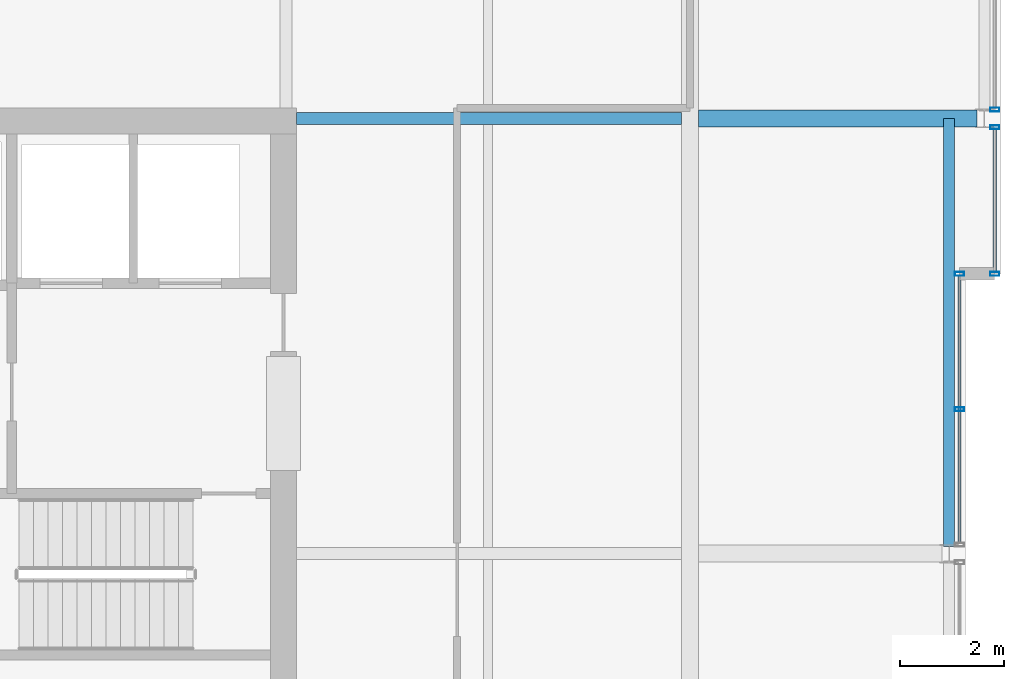
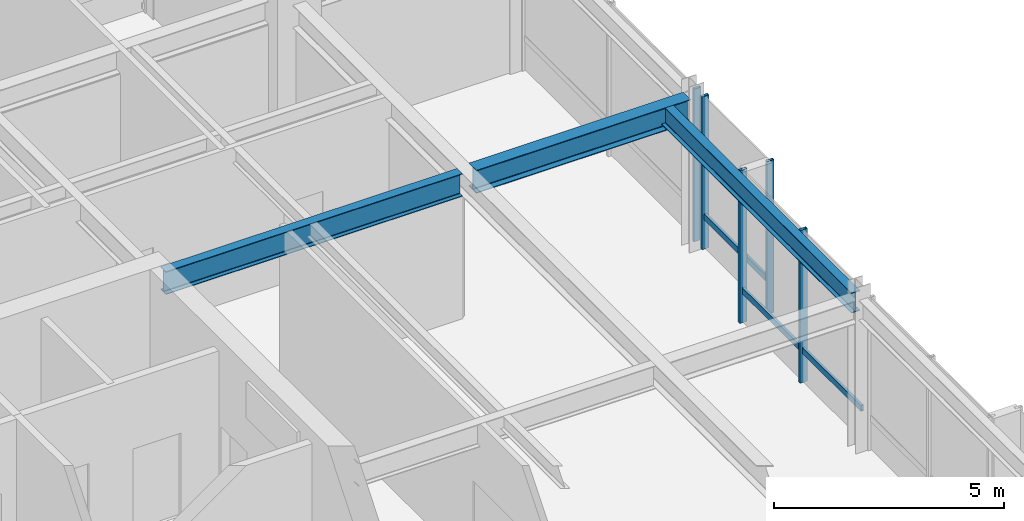
# One storey, part 20 of 33: 7 members, 3 beams, 3 elements without a shape of their own.
"""IFC4 building model written with IfcOpenShell, lengths in metres."""

from ifc_helpers import new_model, si_unit, direction, frame, origin, origin_2d, place, context, subcontext, project, spatial, hollow_rectangle, i_section, extrude, material, layer, layer_set, material_profile, profile_set, type_object, element, aggregate, save


model = new_model("IFC4")

# Units and contexts
model_context = context("Model", 3, precision=1e-05, world=origin(), true_north=direction((0.0, 1.0)))
body_context = subcontext(model_context, "Body", "Model", "MODEL_VIEW")
ifc_project = project(units=[si_unit("LENGTHUNIT", "METRE"), si_unit("AREAUNIT", "SQUARE_METRE"), si_unit("VOLUMEUNIT", "CUBIC_METRE"), si_unit("PLANEANGLEUNIT", "RADIAN"), si_unit("MASSUNIT", "GRAM", prefix="KILO")], contexts=[model_context])

# Site, building, storey
site_placement = place(None, origin())
site = spatial("IfcSite", under=ifc_project, at=site_placement, CompositionType="ELEMENT")
building_placement = place(site_placement, origin())
building = spatial("IfcBuilding", under=site, at=building_placement, Name="Drelvath Grand Hotel", CompositionType="ELEMENT")
storey_placement = place(building_placement, frame((0.0, 0.0, 298.60009765625)))
storey = spatial("IfcBuildingStorey", under=building, at=storey_placement, Name="L78", CompositionType="ELEMENT", Elevation=298.60009765625)

# Curtain wall, member
ifc_material_1 = material(Name="Platinum-Mist Anodised Aluminium Frame", Category="aluminium")
ifc_layer = layer(ifc_material_1, 0.199951171875)
ifc_layer_set = layer_set([ifc_layer], Name="Platinum-Mist Anodised Aluminium Frame")
curtain_wall_type = type_object("IfcCurtainWallType", Name="Stick Curtain Wall CW-05 Platinum Mist High-Rise", PredefinedType="NOTDEFINED", material=ifc_layer_set)
curtain_wall_1_placement = place(storey_placement, origin())
curtain_wall_1 = element("IfcCurtainWall", 1, at=curtain_wall_1_placement, inside=storey, type_object=curtain_wall_type, Name="L78 CW-05 Curtain Wall CW05-L78-EN1", PredefinedType="NOTDEFINED")
ifc_material_profile_1 = material_profile(ifc_material_1, hollow_rectangle(XDim=0.06494140625, YDim=0.159912109375, WallThickness=0.00390625, at=origin_2d()), Name="HSS160X65X4")
ifc_profile_set_1 = profile_set([ifc_material_profile_1], Name="Platinum-Mist Anodised Aluminium Frame")
member_type_1 = type_object("IfcMemberType", Name="Curtain Wall Horizontal Transom CW-05 HSS160X65X4", PredefinedType="USERDEFINED", material=ifc_profile_set_1)
member_1_placement = place(storey_placement, frame((22.080078125, 35.18994140625, 0.849853515625), z_axis=(0.0, -1.0, 0.0), x_axis=(1.0, 0.0, 0.0)))
member_1 = element("IfcMember", 2, at=member_1_placement, type_object=member_type_1, Name="CW05-L78-EN1 Sill Transom", ObjectType="TRANSOM", PredefinedType="USERDEFINED", context=body_context, shape_type="SweptSolid", body=[
    extrude(hollow_rectangle(XDim=0.06494140625, YDim=0.159912109375, WallThickness=0.00390625, at=origin_2d()), origin(), (0.0, 0.0, 1.0), 2.75),
])

curtain_wall_2_placement = place(storey_placement, origin())
curtain_wall_2 = element("IfcCurtainWall", 3, at=curtain_wall_2_placement, inside=storey, type_object=curtain_wall_type, Name="L78 CW-05 Curtain Wall CW05-L78-EM2", PredefinedType="NOTDEFINED")
member_2_placement = place(storey_placement, frame((21.39990234375, 32.360107421875, 0.849853515625), z_axis=(0.0, -1.0, 0.0), x_axis=(1.0, 0.0, 0.0)))
member_2 = element("IfcMember", 4, at=member_2_placement, type_object=member_type_1, Name="CW05-L78-EM2 Sill Transom", ObjectType="TRANSOM", PredefinedType="USERDEFINED", context=body_context, shape_type="SweptSolid", body=[
    extrude(hollow_rectangle(XDim=0.06494140625, YDim=0.159912109375, WallThickness=0.00390625, at=origin_2d()), origin(), (0.0, 0.0, 1.0), 5.150146484375),
])

# Member
ifc_material_profile_2 = material_profile(ifc_material_1, hollow_rectangle(XDim=0.074951171875, YDim=0.179931640625, WallThickness=0.0048828125, at=origin_2d()), Name="HSS180X75X5")
ifc_profile_set_2 = profile_set([ifc_material_profile_2], Name="Platinum-Mist Anodised Aluminium Frame")
member_type_2 = type_object("IfcMemberType", Name="Curtain Wall Vertical Mullion CW-05 HSS180X75X5", PredefinedType="MULLION", material=ifc_profile_set_2)
member_3_placement = place(storey_placement, frame((22.080078125, 35.22998046875, 0.0), z_axis=(0.0, 0.0, 1.0), x_axis=(0.0, 1.0, 0.0)))
member_3 = element("IfcMember", 5, at=member_3_placement, type_object=member_type_2, Name="CW05-L78-EN1 Mullion 1", PredefinedType="MULLION", context=body_context, shape_type="SweptSolid", body=[
    extrude(hollow_rectangle(XDim=0.074951171875, YDim=0.179931640625, WallThickness=0.0048828125, at=origin_2d()), origin(), (0.0, 0.0, 1.0), 4.0498046875),
])

member_4_placement = place(storey_placement, frame((22.080078125, 32.39990234375, 0.0), z_axis=(0.0, 0.0, 1.0), x_axis=(0.0, 1.0, 0.0)))
member_4 = element("IfcMember", 6, at=member_4_placement, type_object=member_type_2, Name="CW05-L78-EN1 Mullion 2", PredefinedType="MULLION", context=body_context, shape_type="SweptSolid", body=[
    extrude(hollow_rectangle(XDim=0.074951171875, YDim=0.179931640625, WallThickness=0.0048828125, at=origin_2d()), origin(), (0.0, 0.0, 1.0), 4.0498046875),
])

aggregate(curtain_wall_1, [member_3, member_4, member_1])

# Curtain wall, member
curtain_wall_3_placement = place(storey_placement, origin())
curtain_wall_3 = element("IfcCurtainWall", 7, at=curtain_wall_3_placement, inside=storey, type_object=curtain_wall_type, Name="L78 CW-05 Curtain Wall CW05-L78-EN2", PredefinedType="NOTDEFINED")
member_5_placement = place(storey_placement, frame((22.080078125, 35.570068359375, 0.0), z_axis=(0.0, 0.0, 1.0), x_axis=(0.0, 1.0, 0.0)))
member_5 = element("IfcMember", 8, at=member_5_placement, type_object=member_type_2, Name="CW05-L78-EN2 Mullion 3", PredefinedType="MULLION", context=body_context, shape_type="SweptSolid", body=[
    extrude(hollow_rectangle(XDim=0.074951171875, YDim=0.179931640625, WallThickness=0.0048828125, at=origin_2d()), origin(), (0.0, 0.0, 1.0), 4.0498046875),
])
aggregate(curtain_wall_3, [member_5])

# Member
member_6_placement = place(storey_placement, frame((21.39990234375, 32.39990234375, 0.0), z_axis=(0.0, 0.0, 1.0), x_axis=(0.0, 1.0, 0.0)))
member_6 = element("IfcMember", 9, at=member_6_placement, type_object=member_type_2, Name="CW05-L78-EM2 Mullion 1", PredefinedType="MULLION", context=body_context, shape_type="SweptSolid", body=[
    extrude(hollow_rectangle(XDim=0.074951171875, YDim=0.179931640625, WallThickness=0.0048828125, at=origin_2d()), origin(), (0.0, 0.0, 1.0), 4.0498046875),
])

member_7_placement = place(storey_placement, frame((21.39990234375, 29.784912109375, 0.0), z_axis=(0.0, 0.0, 1.0), x_axis=(0.0, 1.0, 0.0)))
member_7 = element("IfcMember", 10, at=member_7_placement, type_object=member_type_2, Name="CW05-L78-EM2 Mullion 2", PredefinedType="MULLION", context=body_context, shape_type="SweptSolid", body=[
    extrude(hollow_rectangle(XDim=0.074951171875, YDim=0.179931640625, WallThickness=0.0048828125, at=origin_2d()), origin(), (0.0, 0.0, 1.0), 4.0498046875),
])

aggregate(curtain_wall_2, [member_6, member_7, member_2])

# Beams
ifc_material_2 = material(Name="Steel ASTM A992 Gr 50", Category="steel")
ifc_material_profile_3 = material_profile(ifc_material_2, i_section(OverallWidth=0.210205078125, OverallDepth=0.53662109375, WebThickness=0.010986328125, FlangeThickness=0.017333984375, FilletRadius=0.01806640625, at=origin_2d()), Name="W21X68")
ifc_profile_set_3 = profile_set([ifc_material_profile_3], Name="Steel ASTM A992 Gr 50")
beam_type_1 = type_object("IfcBeamType", Name="Perimeter Spandrel Beam W21X68", PredefinedType="SPANDREL", material=ifc_profile_set_3)
beam_1_placement = place(storey_placement, frame((21.199951171875, 27.139892578125, 3.781494140625), z_axis=(0.0, 1.0, 0.0), x_axis=(-1.0, 0.0, 0.0)))
element("IfcBeam", 11, at=beam_1_placement, inside=storey, type_object=beam_type_1, Name="L78 Spandrel East Mid N", PredefinedType="SPANDREL", context=body_context, shape_type="SweptSolid", body=[
    extrude(i_section(OverallWidth=0.210205078125, OverallDepth=0.53662109375, WebThickness=0.010986328125, FlangeThickness=0.017333984375, FilletRadius=0.01806640625, at=origin_2d()), origin(), (0.0, 0.0, 1.0), 8.260009765625),
])
ifc_material_profile_4 = material_profile(ifc_material_2, i_section(OverallWidth=0.323974609375, OverallDepth=0.611083984375, WebThickness=0.0126953125, FlangeThickness=0.01904296875, FilletRadius=0.02197265625, at=origin_2d()), Name="W24X104")
ifc_profile_set_4 = profile_set([ifc_material_profile_4], Name="Steel ASTM A992 Gr 50")
beam_type_2 = type_object("IfcBeamType", Name="Primary Floor Girder W24X104", PredefinedType="BEAM", material=ifc_profile_set_4)
beam_2_placement = place(storey_placement, frame((16.362060546875, 35.39990234375, 3.744384765625), z_axis=(1.0, 0.0, 0.0), x_axis=(0.0, 1.0, 0.0)))
element("IfcBeam", 12, at=beam_2_placement, inside=storey, type_object=beam_type_2, Name="L78 East Wing Girder F", PredefinedType="BEAM", context=body_context, shape_type="SweptSolid", body=[
    extrude(i_section(OverallWidth=0.323974609375, OverallDepth=0.611083984375, WebThickness=0.0126953125, FlangeThickness=0.01904296875, FilletRadius=0.02197265625, at=origin_2d()), origin(), (0.0, 0.0, 1.0), 5.3779296875),
])
ifc_material_profile_5 = material_profile(ifc_material_2, i_section(OverallWidth=0.228271484375, OverallDepth=0.607666015625, WebThickness=0.01123046875, FlangeThickness=0.017333984375, FilletRadius=0.02001953125, at=origin_2d()), Name="W24X76")
ifc_profile_set_5 = profile_set([ifc_material_profile_5], Name="Steel ASTM A992 Gr 50")
beam_type_3 = type_object("IfcBeamType", Name="Primary Floor Girder W24X76", PredefinedType="BEAM", material=ifc_profile_set_5)
beam_3_placement = place(storey_placement, frame((8.60009765625, 35.39990234375, 3.74609375), z_axis=(1.0, 0.0, 0.0), x_axis=(0.0, 1.0, 0.0)))
element("IfcBeam", 13, at=beam_3_placement, inside=storey, type_object=beam_type_3, Name="L78 East Core Tie F", PredefinedType="BEAM", context=body_context, shape_type="SweptSolid", body=[
    extrude(i_section(OverallWidth=0.228271484375, OverallDepth=0.607666015625, WebThickness=0.01123046875, FlangeThickness=0.017333984375, FilletRadius=0.02001953125, at=origin_2d()), origin(), (0.0, 0.0, 1.0), 7.43798828125),
])

save(model, "model.ifc")
